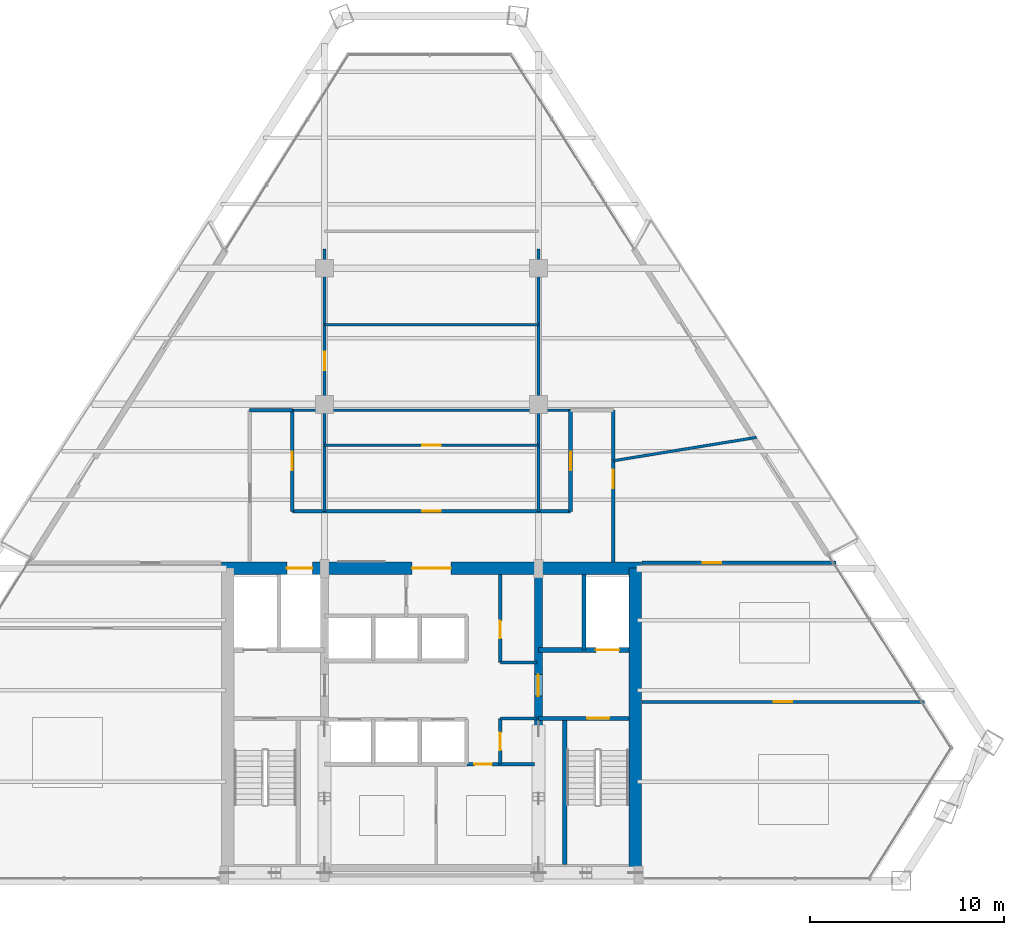
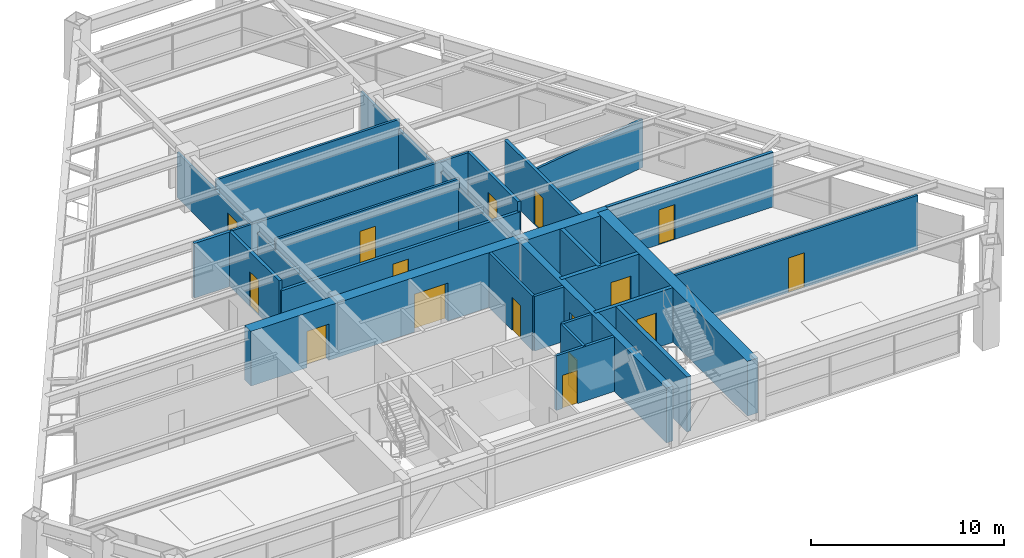
# One storey, part 12 of 15: 25 walls, 16 doors, 16 openings.
"""IFC4 building model written with IfcOpenShell, lengths in metres."""

from ifc_helpers import new_model, si_unit, direction, frame, frame_2d, origin, place, context, subcontext, project, spatial, rectangle, extrude, source, transform, mapped, material, layer, layer_set, type_object, type_shapes, element, fill, save


model = new_model("IFC4")

# Units and contexts
model_context = context("Model", 3, precision=1e-05, world=origin(), true_north=direction((0.0, 1.0)))
body_context = subcontext(model_context, "Body", "Model", "MODEL_VIEW")
ifc_project = project(units=[si_unit("LENGTHUNIT", "METRE"), si_unit("AREAUNIT", "SQUARE_METRE"), si_unit("VOLUMEUNIT", "CUBIC_METRE"), si_unit("PLANEANGLEUNIT", "RADIAN"), si_unit("MASSUNIT", "GRAM", prefix="KILO")], contexts=[model_context])

# Site, building, storey
site_placement = place(None, origin())
site = spatial("IfcSite", under=ifc_project, at=site_placement, CompositionType="ELEMENT")
building_placement = place(site_placement, origin())
building = spatial("IfcBuilding", under=site, at=building_placement, Name="Varnakhor Terracotta Tower", CompositionType="ELEMENT")
storey_placement = place(building_placement, frame((0.0, 0.0, 171.0)))
storey = spatial("IfcBuildingStorey", under=building, at=storey_placement, Name="L43", CompositionType="ELEMENT", Elevation=171.0)

# Wall, openings, doors
ifc_material_1 = material(Name="Concrete C50/60", Category="concrete")
ifc_layer_1 = layer(ifc_material_1, 0.64990234375, Name="Concrete C50/60")
ifc_layer_set_1 = layer_set([ifc_layer_1], Name="Concrete C50/60")
wall_type_1 = type_object("IfcWallType", Name="WAL-CORE-650", PredefinedType="SHEAR", material=ifc_layer_set_1)
wall_1_placement = place(storey_placement, frame((-10.800048828125, 16.074951171875, 0.0), z_axis=(0.0, 0.0, 1.0), x_axis=(1.0, 0.0, 0.0)))
wall_1 = element("IfcWall", 1, at=wall_1_placement, inside=storey, type_object=wall_type_1, Name="L43 North Core Shear Wall", PredefinedType="SHEAR", context=body_context, shape_type="SweptSolid", body=[
    extrude(rectangle(XDim=21.60009765625, YDim=0.64990234375, at=frame_2d((10.800048828125, 0.0))), origin(), (0.0, 0.0, 1.0), 3.469970703125),
])
opening_1_placement = place(wall_1_placement, frame((3.3701171875, 0.0, 0.0)))
opening_1 = element("IfcOpeningElement", 2, at=opening_1_placement, cuts=wall_1, Name="Opening LD-03", PredefinedType="OPENING", context=body_context, shape_type="SweptSolid", body=[
    extrude(rectangle(XDim=1.300048828125, YDim=2.300048828125, at=frame_2d((0.64990234375, 1.14990234375))), frame((0.0, 0.3349609375, 0.0), z_axis=(0.0, -1.0, 0.0), x_axis=(1.0, 0.0, 0.0)), (0.0, 0.0, 1.0), 0.669921875),
])
opening_2_placement = place(wall_1_placement, frame((9.800048828125, 0.0, 0.0)))
opening_2 = element("IfcOpeningElement", 3, at=opening_2_placement, cuts=wall_1, Name="Opening DR-32", PredefinedType="OPENING", context=body_context, shape_type="SweptSolid", body=[
    extrude(rectangle(XDim=2.0, YDim=2.39990234375, at=frame_2d((1.0, 1.199951171875))), frame((0.0, 0.3349609375, 0.0), z_axis=(0.0, -1.0, 0.0), x_axis=(1.0, 0.0, 0.0)), (0.0, 0.0, 1.0), 0.669921875),
])
ifc_material_2 = material(Name="Heavy-Duty Goods Sliding Lift Landing Door", Category="steel")
door_type_1 = type_object("IfcDoorType", Name="LD-SRV-1300X2300", OperationType="NOTDEFINED", PredefinedType="DOOR", material=ifc_material_2)
shared_shape_1 = source(origin(), body_context, "Body", "SweptSolid", [
    extrude(rectangle(XDim=1.300048828125, YDim=2.300048828125, at=frame_2d((0.64990234375, 1.14990234375))), frame((0.0, 0.02490234375, 0.0), z_axis=(0.0, -1.0, 0.0), x_axis=(1.0, 0.0, 0.0)), (0.0, 0.0, 1.0), 0.050048828125),
])
type_shapes(door_type_1, [shared_shape_1])
door_1_placement = place(opening_1_placement, origin())
door_1 = element("IfcDoor", 4, at=door_1_placement, inside=storey, type_object=door_type_1, Name="L43 Service Lift SVL-1 Landing Door", OperationType="SLIDING_TO_RIGHT", OverallHeight=2.300048828125, OverallWidth=1.300048828125, PredefinedType="DOOR", context=body_context, shape_type="MappedRepresentation", body=[
    mapped(shared_shape_1, transform((0.0, 0.0, 0.0), scale=1.0)),
])
fill(opening_1, door_1)
ifc_material_3 = material(Name="Acoustic Double Assembly Fire Door", Category="wood")
door_type_2 = type_object("IfcDoorType", Name="DR-HALL-2000X2400", OperationType="NOTDEFINED", PredefinedType="DOOR", material=ifc_material_3)
shared_shape_2 = source(origin(), body_context, "Body", "SweptSolid", [
    extrude(rectangle(XDim=2.0, YDim=2.39990234375, at=frame_2d((1.0, 1.199951171875))), frame((0.0, 0.02490234375, 0.0), z_axis=(0.0, -1.0, 0.0), x_axis=(1.0, 0.0, 0.0)), (0.0, 0.0, 1.0), 0.050048828125),
])
type_shapes(door_type_2, [shared_shape_2])
door_2_placement = place(opening_2_placement, origin())
door_2 = element("IfcDoor", 5, at=door_2_placement, inside=storey, type_object=door_type_2, Name="L43 Core Main Lobby Double Door", OperationType="DOUBLE_DOOR_SINGLE_SWING", OverallHeight=2.39990234375, OverallWidth=2.0, PredefinedType="DOOR", context=body_context, shape_type="MappedRepresentation", body=[
    mapped(shared_shape_2, transform((0.0, 0.0, 0.0), scale=1.0)),
])
fill(opening_2, door_2)

# Wall
wall_2_placement = place(storey_placement, frame((10.47509765625, 0.52490234375, 0.0), z_axis=(0.0, 0.0, 1.0), x_axis=(0.0, 1.0, 0.0)))
element("IfcWall", 6, at=wall_2_placement, inside=storey, type_object=wall_type_1, Name="L43 East Core Shear Wall", PredefinedType="SHEAR", context=body_context, shape_type="SweptSolid", body=[
    extrude(rectangle(XDim=15.550048828125, YDim=0.64990234375, at=frame_2d((7.77490234375, 0.0))), origin(), (0.0, 0.0, 1.0), 3.469970703125),
])

# Wall, opening, door
ifc_layer_2 = layer(ifc_material_1, 0.39990234375, Name="Concrete C50/60")
ifc_layer_set_2 = layer_set([ifc_layer_2], Name="Concrete C50/60")
wall_type_2 = type_object("IfcWallType", Name="WAL-CORE-WEB-400", PredefinedType="SHEAR", material=ifc_layer_set_2)
wall_3_placement = place(storey_placement, frame((5.5, 0.52490234375, 0.0), z_axis=(0.0, 0.0, 1.0), x_axis=(0.0, 1.0, 0.0)))
wall_3 = element("IfcWall", 7, at=wall_3_placement, inside=storey, type_object=wall_type_2, Name="L43 East Core Web Shear Wall", PredefinedType="SHEAR", context=body_context, shape_type="SweptSolid", body=[
    extrude(rectangle(XDim=15.550048828125, YDim=0.39990234375, at=frame_2d((7.77490234375, 0.0))), origin(), (0.0, 0.0, 1.0), 3.469970703125),
])
opening_3_placement = place(wall_3_placement, frame((8.97509765625, 0.0, 0.0)))
opening_3 = element("IfcOpeningElement", 8, at=opening_3_placement, cuts=wall_3, Name="Opening DR-25", PredefinedType="OPENING", context=body_context, shape_type="SweptSolid", body=[
    extrude(rectangle(XDim=1.10009765625, YDim=2.199951171875, at=frame_2d((0.550048828125, 1.10009765625))), frame((0.0, 0.2099609375, 0.0), z_axis=(0.0, -1.0, 0.0), x_axis=(1.0, 0.0, 0.0)), (0.0, 0.0, 1.0), 0.419921875),
])
ifc_material_4 = material(Name="Firefighting Lobby Self-Closing Fire Door", Category="steel")
door_type_3 = type_object("IfcDoorType", Name="DR-FFL-1100X2200", OperationType="NOTDEFINED", PredefinedType="DOOR", material=ifc_material_4)
shared_shape_3 = source(origin(), body_context, "Body", "SweptSolid", [
    extrude(rectangle(XDim=1.10009765625, YDim=2.199951171875, at=frame_2d((0.550048828125, 1.10009765625))), frame((0.0, 0.02490234375, 0.0), z_axis=(0.0, -1.0, 0.0), x_axis=(1.0, 0.0, 0.0)), (0.0, 0.0, 1.0), 0.050048828125),
])
type_shapes(door_type_3, [shared_shape_3])
door_3_placement = place(opening_3_placement, origin())
door_3 = element("IfcDoor", 9, at=door_3_placement, inside=storey, type_object=door_type_3, Name="L43 East Firefighting Lobby Door", OperationType="SINGLE_SWING_LEFT", OverallHeight=2.199951171875, OverallWidth=1.10009765625, PredefinedType="DOOR", context=body_context, shape_type="MappedRepresentation", body=[
    mapped(shared_shape_3, transform((0.0, 0.0, 0.0), scale=1.0)),
])
fill(opening_3, door_3)

ifc_material_5 = material(Name="Fire-Rated Gypsum Stud Partition", Category="gypsum")
ifc_layer_3 = layer(ifc_material_5, 0.18505859375, Name="Fire-Rated Gypsum Stud Partition")
ifc_layer_set_3 = layer_set([ifc_layer_3], Name="Fire-Rated Gypsum Stud Partition")
wall_type_3 = type_object("IfcWallType", Name="WAL-CORR-185", PredefinedType="PARTITIONING", material=ifc_layer_set_3)
wall_4_placement = place(storey_placement, frame((-7.14990234375, 19.0, 0.0), z_axis=(0.0, 0.0, 1.0), x_axis=(1.0, 0.0, 0.0)))
wall_4 = element("IfcWall", 10, at=wall_4_placement, inside=storey, type_object=wall_type_3, Name="L43 Central Gallery Link Wall", PredefinedType="PARTITIONING", context=body_context, shape_type="SweptSolid", body=[
    extrude(rectangle(XDim=14.2998046875, YDim=0.18505859375, at=frame_2d((7.14990234375, 0.0))), origin(), (0.0, 0.0, 1.0), 2.845947265625),
])
opening_4_placement = place(wall_4_placement, frame((6.675048828125, 0.0, 0.0)))
opening_4 = element("IfcOpeningElement", 11, at=opening_4_placement, cuts=wall_4, Name="Opening DR-94", PredefinedType="OPENING", context=body_context, shape_type="SweptSolid", body=[
    extrude(rectangle(XDim=0.949951171875, YDim=2.199951171875, at=frame_2d((0.47509765625, 1.10009765625))), frame((0.0, 0.1025390625, 0.0), z_axis=(0.0, -1.0, 0.0), x_axis=(1.0, 0.0, 0.0)), (0.0, 0.0, 1.0), 0.205078125),
])
ifc_material_6 = material(Name="Acoustic Glazed-Vision Timber Office Door", Category="wood")
door_type_4 = type_object("IfcDoorType", Name="DR-OFF-950X2200", OperationType="NOTDEFINED", PredefinedType="DOOR", material=ifc_material_6)
shared_shape_4 = source(origin(), body_context, "Body", "SweptSolid", [
    extrude(rectangle(XDim=0.949951171875, YDim=2.199951171875, at=frame_2d((0.47509765625, 1.10009765625))), frame((0.0, 0.02490234375, 0.0), z_axis=(0.0, -1.0, 0.0), x_axis=(1.0, 0.0, 0.0)), (0.0, 0.0, 1.0), 0.050048828125),
])
type_shapes(door_type_4, [shared_shape_4])
door_4_placement = place(opening_4_placement, origin())
door_4 = element("IfcDoor", 12, at=door_4_placement, inside=storey, type_object=door_type_4, Name="L43 Center Suite Door", OperationType="SINGLE_SWING_LEFT", OverallHeight=2.199951171875, OverallWidth=0.949951171875, PredefinedType="DOOR", context=body_context, shape_type="MappedRepresentation", body=[
    mapped(shared_shape_4, transform((0.0, 0.0, 0.0), scale=1.0)),
])
fill(opening_4, door_4)

wall_5_placement = place(storey_placement, frame((-7.14990234375, 19.0, 0.0), z_axis=(0.0, 0.0, 1.0), x_axis=(0.0, 1.0, 0.0)))
wall_5 = element("IfcWall", 13, at=wall_5_placement, inside=storey, type_object=wall_type_3, Name="L43 West Gallery Inner Wall", PredefinedType="PARTITIONING", context=body_context, shape_type="SweptSolid", body=[
    extrude(rectangle(XDim=5.199951171875, YDim=0.18505859375, at=frame_2d((2.60009765625, 0.0))), origin(), (0.0, 0.0, 1.0), 3.4619140625),
])
opening_5_placement = place(wall_5_placement, frame((2.125, 0.0, 0.0)))
opening_5 = element("IfcOpeningElement", 14, at=opening_5_placement, cuts=wall_5, Name="Opening DR-94", PredefinedType="OPENING", context=body_context, shape_type="SweptSolid", body=[
    extrude(rectangle(XDim=0.949951171875, YDim=2.199951171875, at=frame_2d((0.47509765625, 1.10009765625))), frame((0.0, 0.1025390625, 0.0), z_axis=(0.0, -1.0, 0.0), x_axis=(1.0, 0.0, 0.0)), (0.0, 0.0, 1.0), 0.205078125),
])
door_5_placement = place(opening_5_placement, origin())
door_5 = element("IfcDoor", 15, at=door_5_placement, inside=storey, type_object=door_type_4, Name="L43 Games Amenity Room B8 Door", OperationType="SINGLE_SWING_RIGHT", OverallHeight=2.199951171875, OverallWidth=0.949951171875, PredefinedType="DOOR", context=body_context, shape_type="MappedRepresentation", body=[
    mapped(shared_shape_4, transform((0.0, 0.0, 0.0), scale=1.0)),
])
fill(opening_5, door_5)

wall_6_placement = place(storey_placement, frame((7.14990234375, 19.0, 0.0), z_axis=(0.0, 0.0, 1.0), x_axis=(0.0, 1.0, 0.0)))
wall_6 = element("IfcWall", 16, at=wall_6_placement, inside=storey, type_object=wall_type_3, Name="L43 East Gallery Inner Wall", PredefinedType="PARTITIONING", context=body_context, shape_type="SweptSolid", body=[
    extrude(rectangle(XDim=5.199951171875, YDim=0.18505859375, at=frame_2d((2.60009765625, 0.0))), origin(), (0.0, 0.0, 1.0), 3.4619140625),
])
opening_6_placement = place(wall_6_placement, frame((2.125, 0.0, 0.0)))
opening_6 = element("IfcOpeningElement", 17, at=opening_6_placement, cuts=wall_6, Name="Opening DR-94", PredefinedType="OPENING", context=body_context, shape_type="SweptSolid", body=[
    extrude(rectangle(XDim=0.949951171875, YDim=2.199951171875, at=frame_2d((0.47509765625, 1.10009765625))), frame((0.0, 0.1025390625, 0.0), z_axis=(0.0, -1.0, 0.0), x_axis=(1.0, 0.0, 0.0)), (0.0, 0.0, 1.0), 0.205078125),
])
door_6_placement = place(opening_6_placement, origin())
door_6 = element("IfcDoor", 18, at=door_6_placement, inside=storey, type_object=door_type_4, Name="L43 Clinic First Aid Room B9 Door", OperationType="SINGLE_SWING_LEFT", OverallHeight=2.199951171875, OverallWidth=0.949951171875, PredefinedType="DOOR", context=body_context, shape_type="MappedRepresentation", body=[
    mapped(shared_shape_4, transform((0.0, 0.0, 0.0), scale=1.0)),
])
fill(opening_6, door_6)

wall_7_placement = place(storey_placement, frame((9.35009765625, 16.39990234375, 0.0), z_axis=(0.0, 0.0, 1.0), x_axis=(0.0, 1.0, 0.0)))
wall_7 = element("IfcWall", 19, at=wall_7_placement, inside=storey, type_object=wall_type_3, Name="L43 East Gallery Outer Wall", PredefinedType="PARTITIONING", context=body_context, shape_type="SweptSolid", body=[
    extrude(rectangle(XDim=7.800048828125, YDim=0.18505859375, at=frame_2d((3.89990234375, 0.0))), origin(), (0.0, 0.0, 1.0), 3.4619140625),
])
opening_7_placement = place(wall_7_placement, frame((3.781005859375, 0.0, 0.0)))
opening_7 = element("IfcOpeningElement", 20, at=opening_7_placement, cuts=wall_7, Name="Opening DR-94", PredefinedType="OPENING", context=body_context, shape_type="SweptSolid", body=[
    extrude(rectangle(XDim=0.949951171875, YDim=2.199951171875, at=frame_2d((0.47509765625, 1.10009765625))), frame((0.0, 0.1025390625, 0.0), z_axis=(0.0, -1.0, 0.0), x_axis=(1.0, 0.0, 0.0)), (0.0, 0.0, 1.0), 0.205078125),
])
door_7_placement = place(opening_7_placement, origin())
door_7 = element("IfcDoor", 21, at=door_7_placement, inside=storey, type_object=door_type_4, Name="L43 East Wing Door", OperationType="SINGLE_SWING_LEFT", OverallHeight=2.199951171875, OverallWidth=0.949951171875, PredefinedType="DOOR", context=body_context, shape_type="MappedRepresentation", body=[
    mapped(shared_shape_4, transform((0.0, 0.0, 0.0), scale=1.0)),
])
fill(opening_7, door_7)

# Wall
wall_8_placement = place(storey_placement, frame((-9.35009765625, 24.199951171875, 0.0), z_axis=(0.0, 0.0, 1.0), x_axis=(1.0, 0.0, 0.0)))
element("IfcWall", 22, at=wall_8_placement, inside=storey, type_object=wall_type_3, Name="L43 West Gallery North End", PredefinedType="PARTITIONING", context=body_context, shape_type="SweptSolid", body=[
    extrude(rectangle(XDim=2.2001953125, YDim=0.18505859375, at=frame_2d((1.10009765625, 0.0))), origin(), (0.0, 0.0, 1.0), 3.4619140625),
])

# Wall, opening, door
wall_9_placement = place(storey_placement, frame((10.820068359375, 16.35009765625, 0.0), z_axis=(0.0, 0.0, 1.0), x_axis=(1.0, 0.0, 0.0)))
wall_9 = element("IfcWall", 23, at=wall_9_placement, inside=storey, type_object=wall_type_3, Name="L43 South East Entry Wall", PredefinedType="PARTITIONING", context=body_context, shape_type="SweptSolid", body=[
    extrude(rectangle(XDim=9.9833984375, YDim=0.18505859375, at=frame_2d((4.99169921875, 0.0))), origin(), (0.0, 0.0, 1.0), 3.4619140625),
])
opening_8_placement = place(wall_9_placement, frame((3.12109375, 0.0, 0.0)))
opening_8 = element("IfcOpeningElement", 24, at=opening_8_placement, cuts=wall_9, Name="Opening DR-94", PredefinedType="OPENING", context=body_context, shape_type="SweptSolid", body=[
    extrude(rectangle(XDim=0.949951171875, YDim=2.199951171875, at=frame_2d((0.47509765625, 1.10009765625))), frame((0.0, 0.1025390625, 0.0), z_axis=(0.0, -1.0, 0.0), x_axis=(1.0, 0.0, 0.0)), (0.0, 0.0, 1.0), 0.205078125),
])
door_8_placement = place(opening_8_placement, origin())
door_8 = element("IfcDoor", 25, at=door_8_placement, inside=storey, type_object=door_type_4, Name="L43 SE Suite Door", OperationType="SINGLE_SWING_LEFT", OverallHeight=2.199951171875, OverallWidth=0.949951171875, PredefinedType="DOOR", context=body_context, shape_type="MappedRepresentation", body=[
    mapped(shared_shape_4, transform((0.0, 0.0, 0.0), scale=1.0)),
])
fill(opening_8, door_8)

ifc_material_7 = material(Name="Concrete C40/50", Category="concrete")
ifc_layer_4 = layer(ifc_material_7, 0.219970703125, Name="Concrete C40/50")
ifc_layer_set_4 = layer_set([ifc_layer_4], Name="Concrete C40/50")
wall_type_4 = type_object("IfcWallType", Name="WAL-FFLOBBY-220", PredefinedType="SOLIDWALL", material=ifc_layer_set_4)
wall_10_placement = place(storey_placement, frame((10.14990234375, 8.35009765625, 0.0), z_axis=(0.0, 0.0, 1.0), x_axis=(-1.0, 0.0, 0.0)))
wall_10 = element("IfcWall", 26, at=wall_10_placement, inside=storey, type_object=wall_type_4, Name="L43 East Firefighting Lobby Stair Wall", PredefinedType="SOLIDWALL", context=body_context, shape_type="SweptSolid", body=[
    extrude(rectangle(XDim=4.64990234375, YDim=0.219970703125, at=frame_2d((2.324951171875, 0.0))), origin(), (0.0, 0.0, 1.0), 3.469970703125),
])
opening_9_placement = place(wall_10_placement, frame((1.0, 0.0, 0.0)))
opening_9 = element("IfcOpeningElement", 27, at=opening_9_placement, cuts=wall_10, Name="Opening DR-34", PredefinedType="OPENING", context=body_context, shape_type="SweptSolid", body=[
    extrude(rectangle(XDim=1.14990234375, YDim=2.199951171875, at=frame_2d((0.574951171875, 1.10009765625))), frame((0.0, 0.1201171875, 0.0), z_axis=(0.0, -1.0, 0.0), x_axis=(1.0, 0.0, 0.0)), (0.0, 0.0, 1.0), 0.239990234375),
])
ifc_material_8 = material(Name="Self-Closing Smoke-Sealed Steel Fire Door", Category="steel")
door_type_5 = type_object("IfcDoorType", Name="DR-STAIR-1150X2200", OperationType="NOTDEFINED", PredefinedType="DOOR", material=ifc_material_8)
shared_shape_5 = source(origin(), body_context, "Body", "SweptSolid", [
    extrude(rectangle(XDim=1.14990234375, YDim=2.199951171875, at=frame_2d((0.574951171875, 1.10009765625))), frame((0.0, 0.02490234375, 0.0), z_axis=(0.0, -1.0, 0.0), x_axis=(1.0, 0.0, 0.0)), (0.0, 0.0, 1.0), 0.050048828125),
])
type_shapes(door_type_5, [shared_shape_5])
door_9_placement = place(opening_9_placement, origin())
door_9 = element("IfcDoor", 28, at=door_9_placement, inside=storey, type_object=door_type_5, Name="L43 Exit Stair ST-2 Fire Door", OperationType="SINGLE_SWING_RIGHT", OverallHeight=2.199951171875, OverallWidth=1.14990234375, PredefinedType="DOOR", context=body_context, shape_type="MappedRepresentation", body=[
    mapped(shared_shape_5, transform((0.0, 0.0, 0.0), scale=1.0)),
])
fill(opening_9, door_9)

# Wall
ifc_material_9 = material(Name="Acoustic Metal-Stud Partition", Category="gypsum")
ifc_layer_5 = layer(ifc_material_9, 0.139892578125, Name="Acoustic Metal-Stud Partition")
ifc_layer_set_5 = layer_set([ifc_layer_5], Name="Acoustic Metal-Stud Partition")
wall_type_5 = type_object("IfcWallType", Name="WAL-PART-140", PredefinedType="PARTITIONING", material=ifc_layer_set_5)
wall_11_placement = place(storey_placement, frame((-7.14990234375, 24.199951171875, 0.0), z_axis=(0.0, 0.0, 1.0), x_axis=(1.0, 0.0, 0.0)))
element("IfcWall", 29, at=wall_11_placement, inside=storey, type_object=wall_type_5, Name="L43 Gallery Center Cap Wall", PredefinedType="PARTITIONING", context=body_context, shape_type="SweptSolid", body=[
    extrude(rectangle(XDim=14.2998046875, YDim=0.139892578125, at=frame_2d((7.14990234375, 0.0))), origin(), (0.0, 0.0, 1.0), 3.4619140625),
])

# Wall, opening, door
wall_12_placement = place(storey_placement, frame((-5.5, 19.0, 0.0), z_axis=(0.0, 0.0, 1.0), x_axis=(0.0, 1.0, 0.0)))
wall_12 = element("IfcWall", 30, at=wall_12_placement, inside=storey, type_object=wall_type_5, Name="L43 Center West Column Wall", PredefinedType="PARTITIONING", context=body_context, shape_type="SweptSolid", body=[
    extrude(rectangle(XDim=13.5, YDim=0.139892578125, at=frame_2d((6.75, 0.0))), origin(), (0.0, 0.0, 1.0), 2.845947265625),
])
opening_10_placement = place(wall_12_placement, frame((7.264404296875, 0.0, 0.0)))
opening_10 = element("IfcOpeningElement", 31, at=opening_10_placement, cuts=wall_12, Name="Opening DR-94", PredefinedType="OPENING", context=body_context, shape_type="SweptSolid", body=[
    extrude(rectangle(XDim=0.949951171875, YDim=2.199951171875, at=frame_2d((0.47509765625, 1.10009765625))), frame((0.0, 0.080078125, 0.0), z_axis=(0.0, -1.0, 0.0), x_axis=(1.0, 0.0, 0.0)), (0.0, 0.0, 1.0), 0.159912109375),
])
door_10_placement = place(opening_10_placement, origin())
door_10 = element("IfcDoor", 32, at=door_10_placement, inside=storey, type_object=door_type_4, Name="L43 Concierge Reception 2 B11 Door", OperationType="SINGLE_SWING_LEFT", OverallHeight=2.199951171875, OverallWidth=0.949951171875, PredefinedType="DOOR", context=body_context, shape_type="MappedRepresentation", body=[
    mapped(shared_shape_4, transform((0.0, 0.0, 0.0), scale=1.0)),
])
fill(opening_10, door_10)

# Wall
wall_13_placement = place(storey_placement, frame((5.5, 19.0, 0.0), z_axis=(0.0, 0.0, 1.0), x_axis=(0.0, 1.0, 0.0)))
element("IfcWall", 33, at=wall_13_placement, inside=storey, type_object=wall_type_5, Name="L43 Center East Column Wall", PredefinedType="PARTITIONING", context=body_context, shape_type="SweptSolid", body=[
    extrude(rectangle(XDim=13.5, YDim=0.139892578125, at=frame_2d((6.75, 0.0))), origin(), (0.0, 0.0, 1.0), 2.845947265625),
])

# Wall, opening, door
wall_14_placement = place(storey_placement, frame((-5.5, 22.39990234375, 0.0), z_axis=(0.0, 0.0, 1.0), x_axis=(1.0, 0.0, 0.0)))
wall_14 = element("IfcWall", 34, at=wall_14_placement, inside=storey, type_object=wall_type_5, Name="L43 Center Cross Cut 1", PredefinedType="PARTITIONING", context=body_context, shape_type="SweptSolid", body=[
    extrude(rectangle(XDim=11.0, YDim=0.139892578125, at=frame_2d((5.5, 0.0))), origin(), (0.0, 0.0, 1.0), 3.4619140625),
])
opening_11_placement = place(wall_14_placement, frame((5.02490234375, 0.0, 0.0)))
opening_11 = element("IfcOpeningElement", 35, at=opening_11_placement, cuts=wall_14, Name="Opening DR-94", PredefinedType="OPENING", context=body_context, shape_type="SweptSolid", body=[
    extrude(rectangle(XDim=0.949951171875, YDim=2.199951171875, at=frame_2d((0.47509765625, 1.10009765625))), frame((0.0, 0.080078125, 0.0), z_axis=(0.0, -1.0, 0.0), x_axis=(1.0, 0.0, 0.0)), (0.0, 0.0, 1.0), 0.159912109375),
])
door_11_placement = place(opening_11_placement, origin())
door_11 = element("IfcDoor", 36, at=door_11_placement, inside=storey, type_object=door_type_4, Name="L43 Cinema Screening Salon Door", OperationType="SINGLE_SWING_RIGHT", OverallHeight=2.199951171875, OverallWidth=0.949951171875, PredefinedType="DOOR", context=body_context, shape_type="MappedRepresentation", body=[
    mapped(shared_shape_4, transform((0.0, 0.0, 0.0), scale=1.0)),
])
fill(opening_11, door_11)

# Wall
wall_15_placement = place(storey_placement, frame((-5.5, 28.60009765625, 0.0), z_axis=(0.0, 0.0, 1.0), x_axis=(1.0, 0.0, 0.0)))
element("IfcWall", 37, at=wall_15_placement, inside=storey, type_object=wall_type_5, Name="L43 Center Cross Cut 2", PredefinedType="PARTITIONING", context=body_context, shape_type="SweptSolid", body=[
    extrude(rectangle(XDim=11.0, YDim=0.139892578125, at=frame_2d((5.5, 0.0))), origin(), (0.0, 0.0, 1.0), 3.4619140625),
])

# Wall, opening, door
wall_16_placement = place(storey_placement, frame((10.820068359375, 9.199951171875, 0.0), z_axis=(0.0, 0.0, 1.0), x_axis=(1.0, 0.0, 0.0)))
wall_16 = element("IfcWall", 38, at=wall_16_placement, inside=storey, type_object=wall_type_5, Name="L43 East Wing Cut 1", PredefinedType="PARTITIONING", context=body_context, shape_type="SweptSolid", body=[
    extrude(rectangle(XDim=14.52197265625, YDim=0.139892578125, at=frame_2d((7.260986328125, 0.0))), origin(), (0.0, 0.0, 1.0), 3.4619140625),
])
opening_12_placement = place(wall_16_placement, frame((6.7783203125, 0.0, 0.0)))
opening_12 = element("IfcOpeningElement", 39, at=opening_12_placement, cuts=wall_16, Name="Opening DR-94", PredefinedType="OPENING", context=body_context, shape_type="SweptSolid", body=[
    extrude(rectangle(XDim=0.949951171875, YDim=2.199951171875, at=frame_2d((0.47509765625, 1.10009765625))), frame((0.0, 0.080078125, 0.0), z_axis=(0.0, -1.0, 0.0), x_axis=(1.0, 0.0, 0.0)), (0.0, 0.0, 1.0), 0.159912109375),
])
door_12_placement = place(opening_12_placement, origin())
door_12 = element("IfcDoor", 40, at=door_12_placement, inside=storey, type_object=door_type_4, Name="L43 Client Reception 1 SE Door", OperationType="SINGLE_SWING_RIGHT", OverallHeight=2.199951171875, OverallWidth=0.949951171875, PredefinedType="DOOR", context=body_context, shape_type="MappedRepresentation", body=[
    mapped(shared_shape_4, transform((0.0, 0.0, 0.0), scale=1.0)),
])
fill(opening_12, door_12)

# Walls
wall_17_placement = place(storey_placement, frame((9.35009765625, 21.60009765625, 0.0), z_axis=(0.0, 0.0, 1.0), x_axis=(0.986959646551, 0.160967872817, 0.0)))
element("IfcWall", 41, at=wall_17_placement, inside=storey, type_object=wall_type_5, Name="L43 East Wing Cut 2", PredefinedType="PARTITIONING", context=body_context, shape_type="SweptSolid", body=[
    extrude(rectangle(XDim=7.4560546875, YDim=0.139892578125, at=frame_2d((3.72802734375, 0.0))), origin(), (0.0, 0.0, 1.0), 3.049072265625),
])
ifc_layer_6 = layer(ifc_material_7, 0.219970703125, Name="Concrete C40/50")
ifc_layer_set_6 = layer_set([ifc_layer_6], Name="Concrete C40/50")
wall_type_6 = type_object("IfcWallType", Name="WAL-SHAFT-220", PredefinedType="SOLIDWALL", material=ifc_layer_set_6)
wall_18_placement = place(storey_placement, frame((7.840087890625, 11.8701171875, 0.0), z_axis=(0.0, 0.0, 1.0), x_axis=(0.0, 1.0, 0.0)))
element("IfcWall", 42, at=wall_18_placement, inside=storey, type_object=wall_type_6, Name="L43 Lift FFL-2 and Riser Divider Wall", PredefinedType="SOLIDWALL", context=body_context, shape_type="SweptSolid", body=[
    extrude(rectangle(XDim=3.8798828125, YDim=0.219970703125, at=frame_2d((1.93994140625, 0.0))), origin(), (0.0, 0.0, 1.0), 3.469970703125),
])
ifc_layer_7 = layer(ifc_material_7, 0.25, Name="Concrete C40/50")
ifc_layer_set_7 = layer_set([ifc_layer_7], Name="Concrete C40/50")
wall_type_7 = type_object("IfcWallType", Name="WAL-SHAFT-250", PredefinedType="SOLIDWALL", material=ifc_layer_set_7)
wall_19_placement = place(storey_placement, frame((6.85009765625, 0.85009765625, 0.0), z_axis=(0.0, 0.0, 1.0), x_axis=(0.0, 1.0, 0.0)))
element("IfcWall", 43, at=wall_19_placement, inside=storey, type_object=wall_type_7, Name="L43 Stair ST-2 Bearing Shaft Wall", PredefinedType="SOLIDWALL", context=body_context, shape_type="SweptSolid", body=[
    extrude(rectangle(XDim=7.5, YDim=0.25, at=frame_2d((3.75, 0.0))), origin(), (0.0, 0.0, 1.0), 3.469970703125),
])

# Wall, opening, door
wall_20_placement = place(storey_placement, frame((10.14990234375, 11.8701171875, 0.0), z_axis=(0.0, 0.0, 1.0), x_axis=(-1.0, 0.0, 0.0)))
wall_20 = element("IfcWall", 44, at=wall_20_placement, inside=storey, type_object=wall_type_7, Name="L43 Lift FFL-2 Shaft Front Wall", PredefinedType="SOLIDWALL", context=body_context, shape_type="SweptSolid", body=[
    extrude(rectangle(XDim=4.64990234375, YDim=0.25, at=frame_2d((2.324951171875, 0.0))), origin(), (0.0, 0.0, 1.0), 3.469970703125),
])
opening_13_placement = place(wall_20_placement, frame((0.5, 0.0, 0.0)))
opening_13 = element("IfcOpeningElement", 45, at=opening_13_placement, cuts=wall_20, Name="Opening LD-02", PredefinedType="OPENING", context=body_context, shape_type="SweptSolid", body=[
    extrude(rectangle(XDim=1.199951171875, YDim=2.25, at=frame_2d((0.60009765625, 1.125))), frame((0.0, 0.135009765625, 0.0), z_axis=(0.0, -1.0, 0.0), x_axis=(1.0, 0.0, 0.0)), (0.0, 0.0, 1.0), 0.27001953125),
])
ifc_material_10 = material(Name="Firefighting Stretcher Sliding Lift Landing Door", Category="steel")
door_type_6 = type_object("IfcDoorType", Name="LD-FFL-1200X2250", OperationType="NOTDEFINED", PredefinedType="DOOR", material=ifc_material_10)
shared_shape_6 = source(origin(), body_context, "Body", "SweptSolid", [
    extrude(rectangle(XDim=1.199951171875, YDim=2.25, at=frame_2d((0.60009765625, 1.125))), frame((0.0, 0.02490234375, 0.0), z_axis=(0.0, -1.0, 0.0), x_axis=(1.0, 0.0, 0.0)), (0.0, 0.0, 1.0), 0.050048828125),
])
type_shapes(door_type_6, [shared_shape_6])
door_13_placement = place(opening_13_placement, origin())
door_13 = element("IfcDoor", 46, at=door_13_placement, inside=storey, type_object=door_type_6, Name="L43 Firefighting Lift FFL-2 Landing Door", OperationType="SLIDING_TO_RIGHT", OverallHeight=2.25, OverallWidth=1.199951171875, PredefinedType="DOOR", context=body_context, shape_type="MappedRepresentation", body=[
    mapped(shared_shape_6, transform((0.0, 0.0, 0.0), scale=1.0)),
])
fill(opening_13, door_13)

ifc_material_11 = material(Name="Acoustic Fire-Rated Partition", Category="gypsum")
ifc_layer_8 = layer(ifc_material_11, 0.1650390625, Name="Acoustic Fire-Rated Partition")
ifc_layer_set_8 = layer_set([ifc_layer_8], Name="Acoustic Fire-Rated Partition")
wall_type_8 = type_object("IfcWallType", Name="WAL-TENANCY-165", PredefinedType="PARTITIONING", material=ifc_layer_set_8)
wall_21_placement = place(storey_placement, frame((1.820068359375, 6.0, 0.0), z_axis=(0.0, 0.0, 1.0), x_axis=(1.0, 0.0, 0.0)))
wall_21 = element("IfcWall", 47, at=wall_21_placement, inside=storey, type_object=wall_type_8, Name="L43 Reclaimed Core Bay North Rated Wall", PredefinedType="PARTITIONING", context=body_context, shape_type="SweptSolid", body=[
    extrude(rectangle(XDim=3.47998046875, YDim=0.1650390625, at=frame_2d((1.739990234375, 0.0))), origin(), (0.0, 0.0, 1.0), 3.4619140625),
])
opening_14_placement = place(wall_21_placement, frame((0.3798828125, 0.0, 0.0)))
opening_14 = element("IfcOpeningElement", 48, at=opening_14_placement, cuts=wall_21, Name="Opening DR-67", PredefinedType="OPENING", context=body_context, shape_type="SweptSolid", body=[
    extrude(rectangle(XDim=0.89990234375, YDim=2.10009765625, at=frame_2d((0.449951171875, 1.050048828125))), frame((0.0, 0.092529296875, 0.0), z_axis=(0.0, -1.0, 0.0), x_axis=(1.0, 0.0, 0.0)), (0.0, 0.0, 1.0), 0.18505859375),
])
ifc_material_12 = material(Name="Steel Service Riser Fire Door", Category="steel")
door_type_7 = type_object("IfcDoorType", Name="DR-RISER-900X2100", OperationType="NOTDEFINED", PredefinedType="DOOR", material=ifc_material_12)
shared_shape_7 = source(origin(), body_context, "Body", "SweptSolid", [
    extrude(rectangle(XDim=0.89990234375, YDim=2.10009765625, at=frame_2d((0.449951171875, 1.050048828125))), frame((0.0, 0.02490234375, 0.0), z_axis=(0.0, -1.0, 0.0), x_axis=(1.0, 0.0, 0.0)), (0.0, 0.0, 1.0), 0.050048828125),
])
type_shapes(door_type_7, [shared_shape_7])
door_14_placement = place(opening_14_placement, origin())
door_14 = element("IfcDoor", 49, at=door_14_placement, inside=storey, type_object=door_type_7, Name="L43 Core Reclaimed Suite Door", OperationType="SINGLE_SWING_RIGHT", OverallHeight=2.10009765625, OverallWidth=0.89990234375, PredefinedType="DOOR", context=body_context, shape_type="MappedRepresentation", body=[
    mapped(shared_shape_7, transform((0.0, 0.0, 0.0), scale=1.0)),
])
fill(opening_14, door_14)

wall_22_placement = place(storey_placement, frame((3.5400390625, 6.0, 0.0), z_axis=(0.0, 0.0, 1.0), x_axis=(0.0, 1.0, 0.0)))
wall_22 = element("IfcWall", 50, at=wall_22_placement, inside=storey, type_object=wall_type_8, Name="L43 Accessible WC Rated Wall", PredefinedType="PARTITIONING", context=body_context, shape_type="SweptSolid", body=[
    extrude(rectangle(XDim=2.340087890625, YDim=0.1650390625, at=frame_2d((1.169921875, 0.0))), origin(), (0.0, 0.0, 1.0), 3.4619140625),
])
opening_15_placement = place(wall_22_placement, frame((0.719970703125, 0.0, 0.0)))
opening_15 = element("IfcOpeningElement", 51, at=opening_15_placement, cuts=wall_22, Name="Opening DR-67", PredefinedType="OPENING", context=body_context, shape_type="SweptSolid", body=[
    extrude(rectangle(XDim=0.89990234375, YDim=2.10009765625, at=frame_2d((0.449951171875, 1.050048828125))), frame((0.0, 0.092529296875, 0.0), z_axis=(0.0, -1.0, 0.0), x_axis=(1.0, 0.0, 0.0)), (0.0, 0.0, 1.0), 0.18505859375),
])
door_15_placement = place(opening_15_placement, origin())
door_15 = element("IfcDoor", 52, at=door_15_placement, inside=storey, type_object=door_type_7, Name="L43 Accessible WC Door", OperationType="SINGLE_SWING_RIGHT", OverallHeight=2.10009765625, OverallWidth=0.89990234375, PredefinedType="DOOR", context=body_context, shape_type="MappedRepresentation", body=[
    mapped(shared_shape_7, transform((0.0, 0.0, 0.0), scale=1.0)),
])
fill(opening_15, door_15)

# Wall
wall_23_placement = place(storey_placement, frame((3.5400390625, 8.340087890625, 0.0), z_axis=(0.0, 0.0, 1.0), x_axis=(1.0, 0.0, 0.0)))
element("IfcWall", 53, at=wall_23_placement, inside=storey, type_object=wall_type_8, Name="L43 Accessible WC North Wall", PredefinedType="PARTITIONING", context=body_context, shape_type="SweptSolid", body=[
    extrude(rectangle(XDim=1.8798828125, YDim=0.1650390625, at=frame_2d((0.93994140625, 0.0))), origin(), (0.0, 0.0, 1.0), 3.4619140625),
])

# Wall, opening, door
wall_24_placement = place(storey_placement, frame((3.5400390625, 11.219970703125, 0.0), z_axis=(0.0, 0.0, 1.0), x_axis=(0.0, 1.0, 0.0)))
wall_24 = element("IfcWall", 54, at=wall_24_placement, inside=storey, type_object=wall_type_8, Name="L43 Restroom Corridor Wall", PredefinedType="PARTITIONING", context=body_context, shape_type="SweptSolid", body=[
    extrude(rectangle(XDim=4.530029296875, YDim=0.1650390625, at=frame_2d((2.26513671875, 0.0))), origin(), (0.0, 0.0, 1.0), 3.4619140625),
])
opening_16_placement = place(wall_24_placement, frame((1.25, 0.0, 0.0)))
opening_16 = element("IfcOpeningElement", 55, at=opening_16_placement, cuts=wall_24, Name="Opening DR-67", PredefinedType="OPENING", context=body_context, shape_type="SweptSolid", body=[
    extrude(rectangle(XDim=0.89990234375, YDim=2.10009765625, at=frame_2d((0.449951171875, 1.050048828125))), frame((0.0, 0.092529296875, 0.0), z_axis=(0.0, -1.0, 0.0), x_axis=(1.0, 0.0, 0.0)), (0.0, 0.0, 1.0), 0.18505859375),
])
door_16_placement = place(opening_16_placement, origin())
door_16 = element("IfcDoor", 56, at=door_16_placement, inside=storey, type_object=door_type_7, Name="L43 Female WC Door", OperationType="SINGLE_SWING_RIGHT", OverallHeight=2.10009765625, OverallWidth=0.89990234375, PredefinedType="DOOR", context=body_context, shape_type="MappedRepresentation", body=[
    mapped(shared_shape_7, transform((0.0, 0.0, 0.0), scale=1.0)),
])
fill(opening_16, door_16)

# Wall
wall_25_placement = place(storey_placement, frame((3.5400390625, 11.219970703125, 0.0), z_axis=(0.0, 0.0, 1.0), x_axis=(1.0, 0.0, 0.0)))
element("IfcWall", 57, at=wall_25_placement, inside=storey, type_object=wall_type_8, Name="L43 Restroom South Wall", PredefinedType="PARTITIONING", context=body_context, shape_type="SweptSolid", body=[
    extrude(rectangle(XDim=1.8798828125, YDim=0.1650390625, at=frame_2d((0.93994140625, 0.0))), origin(), (0.0, 0.0, 1.0), 3.4619140625),
])

save(model, "model.ifc")
